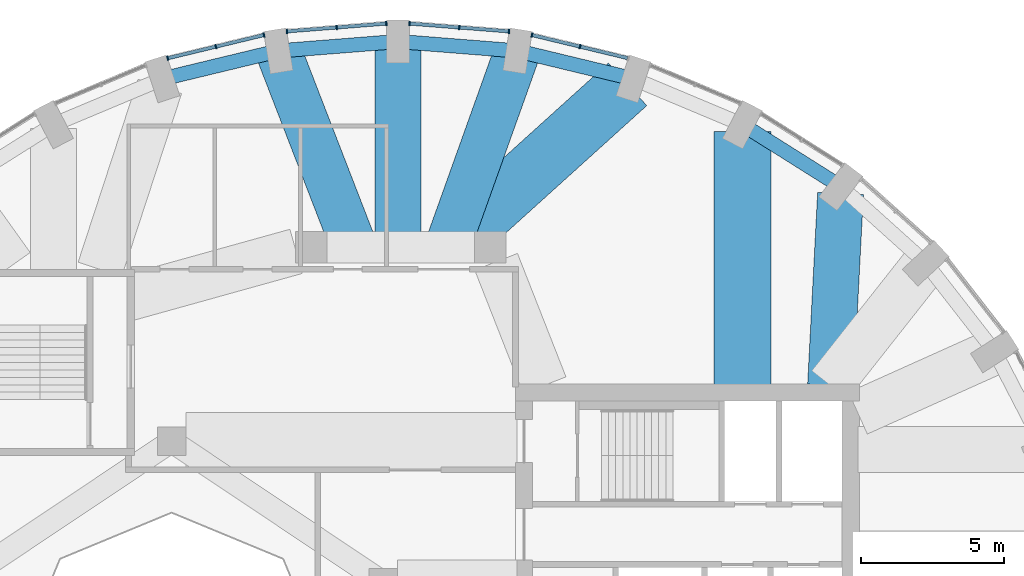
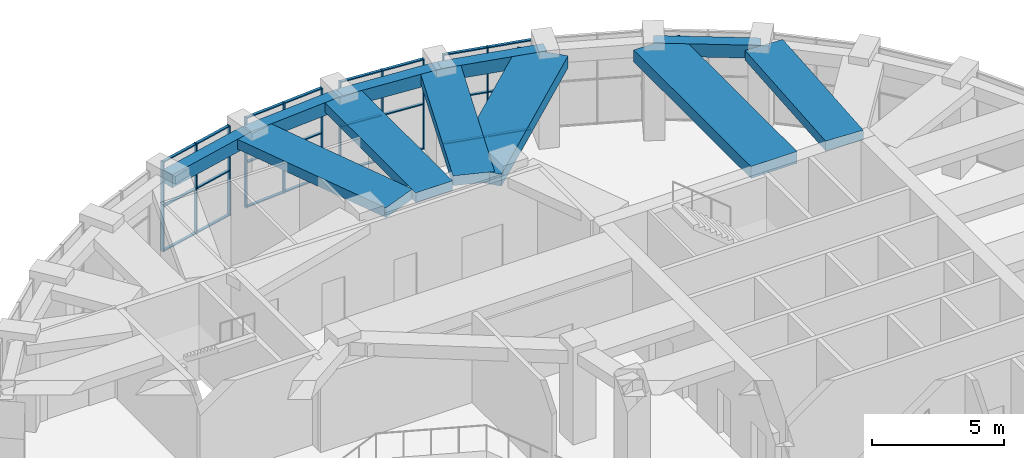
# One storey, part 9 of 17: 35 members, 11 beams, 4 elements without a shape of their own.
"""IFC4 building model written with IfcOpenShell, lengths in metres."""

from ifc_helpers import new_model, si_unit, direction, frame, origin, origin_2d, place, context, subcontext, project, spatial, rectangle, extrude, material, material_profile, profile_set, type_object, element, aggregate, save


model = new_model("IFC4")

# Units and contexts
model_context = context("Model", 3, precision=1e-05, world=origin(), true_north=direction((0.0, 1.0)))
body_context = subcontext(model_context, "Body", "Model", "MODEL_VIEW")
ifc_project = project(units=[si_unit("LENGTHUNIT", "METRE"), si_unit("AREAUNIT", "SQUARE_METRE"), si_unit("VOLUMEUNIT", "CUBIC_METRE"), si_unit("PLANEANGLEUNIT", "RADIAN"), si_unit("MASSUNIT", "GRAM", prefix="KILO")], contexts=[model_context])

# Site, building, storey
site_placement = place(None, origin())
site = spatial("IfcSite", under=ifc_project, at=site_placement, CompositionType="ELEMENT")
building_placement = place(site_placement, origin())
building = spatial("IfcBuilding", under=site, at=building_placement, Name="Taillehof Tower", CompositionType="ELEMENT")
storey_placement = place(building_placement, frame((0.0, 0.0, 259.699951171875)))
storey = spatial("IfcBuildingStorey", under=building, at=storey_placement, Name="L74", CompositionType="ELEMENT", Elevation=259.699951171875)

# Curtain wall, members
ifc_material_1 = material(Name="Aluminium curtain wall with Clear low-emissivity double glazing", Category="aluminium")
curtain_wall_type = type_object("IfcCurtainWallType", Name="Club lounge curtain wall", PredefinedType="USERDEFINED", material=ifc_material_1)
curtain_wall_1_placement = place(storey_placement, origin())
curtain_wall_1 = element("IfcCurtainWall", 1, at=curtain_wall_1_placement, inside=storey, type_object=curtain_wall_type, Name="Club lounge L74 bay 8", ObjectType="WINDOW WALL", PredefinedType="USERDEFINED")
ifc_material_2 = material(Name="Aluminium mullion", Category="aluminium")
ifc_material_profile_1 = material_profile(ifc_material_2, rectangle(XDim=0.159912109375, YDim=0.050048828125, at=origin_2d()), Name="AL 50x160")
ifc_profile_set_1 = profile_set([ifc_material_profile_1], Name="Aluminium mullion")
member_type_1 = type_object("IfcMemberType", Name="Club lounge mullion 50x160", PredefinedType="MULLION", material=ifc_profile_set_1)
member_1_placement = place(storey_placement, frame((6.255859375, 21.771728515625, 0.0), z_axis=(0.0, 0.0, 1.0), x_axis=(-0.234514520129, -0.972112616855, 0.0)))
member_1 = element("IfcMember", 2, at=member_1_placement, type_object=member_type_1, Name="CT4E08 mullion 2", PredefinedType="MULLION", context=body_context, shape_type="SweptSolid", body=[
    extrude(rectangle(XDim=0.159912109375, YDim=0.050048828125, at=origin_2d()), origin(), (0.0, 0.0, 1.0), 4.150146484375),
])
member_2_placement = place(storey_placement, frame((4.574951171875, 22.17724609375, 0.0), z_axis=(0.0, 0.0, 1.0), x_axis=(-0.234514520129, -0.972112616855, 0.0)))
member_2 = element("IfcMember", 3, at=member_2_placement, type_object=member_type_1, Name="CT4E08 mullion 3", PredefinedType="MULLION", context=body_context, shape_type="SweptSolid", body=[
    extrude(rectangle(XDim=0.159912109375, YDim=0.050048828125, at=origin_2d()), origin(), (0.0, 0.0, 1.0), 4.150146484375),
])

curtain_wall_2_placement = place(storey_placement, origin())
curtain_wall_2 = element("IfcCurtainWall", 4, at=curtain_wall_2_placement, inside=storey, type_object=curtain_wall_type, Name="Club lounge L74 bay 9", ObjectType="WINDOW WALL", PredefinedType="USERDEFINED")
member_3_placement = place(storey_placement, frame((3.77490234375, 22.304443359375, 0.0), z_axis=(0.0, 0.0, 1.0), x_axis=(-0.078525059075, -0.996912140109, 0.0)))
member_3 = element("IfcMember", 5, at=member_3_placement, type_object=member_type_1, Name="CT4E09 mullion 1", PredefinedType="MULLION", context=body_context, shape_type="SweptSolid", body=[
    extrude(rectangle(XDim=0.159912109375, YDim=0.050048828125, at=origin_2d()), origin(), (0.0, 0.0, 1.0), 4.150146484375),
])
member_4_placement = place(storey_placement, frame((2.0400390625, 22.441162109375, 0.0), z_axis=(0.0, 0.0, 1.0), x_axis=(-0.078525059075, -0.996912140109, 0.0)))
member_4 = element("IfcMember", 6, at=member_4_placement, type_object=member_type_1, Name="CT4E09 mullion 2", PredefinedType="MULLION", context=body_context, shape_type="SweptSolid", body=[
    extrude(rectangle(XDim=0.159912109375, YDim=0.050048828125, at=origin_2d()), origin(), (0.0, 0.0, 1.0), 4.150146484375),
])
member_5_placement = place(storey_placement, frame((0.304931640625, 22.577880859375, 0.0), z_axis=(0.0, 0.0, 1.0), x_axis=(-0.078525059075, -0.996912140109, 0.0)))
member_5 = element("IfcMember", 7, at=member_5_placement, type_object=member_type_1, Name="CT4E09 mullion 3", PredefinedType="MULLION", context=body_context, shape_type="SweptSolid", body=[
    extrude(rectangle(XDim=0.159912109375, YDim=0.050048828125, at=origin_2d()), origin(), (0.0, 0.0, 1.0), 4.150146484375),
])

curtain_wall_3_placement = place(storey_placement, origin())
curtain_wall_3 = element("IfcCurtainWall", 8, at=curtain_wall_3_placement, inside=storey, type_object=curtain_wall_type, Name="Club lounge L74 bay 10", ObjectType="WINDOW WALL", PredefinedType="USERDEFINED")
member_6_placement = place(storey_placement, frame((-0.5048828125, 22.577880859375, 0.0), z_axis=(0.0, 0.0, 1.0), x_axis=(0.078525059075, -0.996912140109, 0.0)))
member_6 = element("IfcMember", 9, at=member_6_placement, type_object=member_type_1, Name="CT4E10 mullion 1", PredefinedType="MULLION", context=body_context, shape_type="SweptSolid", body=[
    extrude(rectangle(XDim=0.159912109375, YDim=0.050048828125, at=origin_2d()), origin(), (0.0, 0.0, 1.0), 4.150146484375),
])
member_7_placement = place(storey_placement, frame((-2.239990234375, 22.441162109375, 0.0), z_axis=(0.0, 0.0, 1.0), x_axis=(0.078525059075, -0.996912140109, 0.0)))
member_7 = element("IfcMember", 10, at=member_7_placement, type_object=member_type_1, Name="CT4E10 mullion 2", PredefinedType="MULLION", context=body_context, shape_type="SweptSolid", body=[
    extrude(rectangle(XDim=0.159912109375, YDim=0.050048828125, at=origin_2d()), origin(), (0.0, 0.0, 1.0), 4.150146484375),
])
member_8_placement = place(storey_placement, frame((-3.97509765625, 22.304443359375, 0.0), z_axis=(0.0, 0.0, 1.0), x_axis=(0.078525059075, -0.996912140109, 0.0)))
member_8 = element("IfcMember", 11, at=member_8_placement, type_object=member_type_1, Name="CT4E10 mullion 3", PredefinedType="MULLION", context=body_context, shape_type="SweptSolid", body=[
    extrude(rectangle(XDim=0.159912109375, YDim=0.050048828125, at=origin_2d()), origin(), (0.0, 0.0, 1.0), 4.150146484375),
])

curtain_wall_4_placement = place(storey_placement, origin())
curtain_wall_4 = element("IfcCurtainWall", 12, at=curtain_wall_4_placement, inside=storey, type_object=curtain_wall_type, Name="Club lounge L74 bay 11", ObjectType="WINDOW WALL", PredefinedType="USERDEFINED")
member_9_placement = place(storey_placement, frame((-4.77490234375, 22.17724609375, 0.0), z_axis=(0.0, 0.0, 1.0), x_axis=(0.234514520129, -0.972112616855, 0.0)))
member_9 = element("IfcMember", 13, at=member_9_placement, type_object=member_type_1, Name="CT4E11 mullion 1", PredefinedType="MULLION", context=body_context, shape_type="SweptSolid", body=[
    extrude(rectangle(XDim=0.159912109375, YDim=0.050048828125, at=origin_2d()), origin(), (0.0, 0.0, 1.0), 4.150146484375),
])
member_10_placement = place(storey_placement, frame((-6.455810546875, 21.771728515625, 0.0), z_axis=(0.0, 0.0, 1.0), x_axis=(0.234514520129, -0.972112616855, 0.0)))
member_10 = element("IfcMember", 14, at=member_10_placement, type_object=member_type_1, Name="CT4E11 mullion 2", PredefinedType="MULLION", context=body_context, shape_type="SweptSolid", body=[
    extrude(rectangle(XDim=0.159912109375, YDim=0.050048828125, at=origin_2d()), origin(), (0.0, 0.0, 1.0), 4.150146484375),
])
member_11_placement = place(storey_placement, frame((-8.13671875, 21.366455078125, 0.0), z_axis=(0.0, 0.0, 1.0), x_axis=(0.234514520129, -0.972112616855, 0.0)))
member_11 = element("IfcMember", 15, at=member_11_placement, type_object=member_type_1, Name="CT4E11 mullion 3", PredefinedType="MULLION", context=body_context, shape_type="SweptSolid", body=[
    extrude(rectangle(XDim=0.159912109375, YDim=0.050048828125, at=origin_2d()), origin(), (0.0, 0.0, 1.0), 4.150146484375),
])

# Member
ifc_material_3 = material(Name="Aluminium transom", Category="aluminium")
ifc_material_profile_2 = material_profile(ifc_material_3, rectangle(XDim=0.1201171875, YDim=0.050048828125, at=origin_2d()), Name="AL 120x50")
ifc_profile_set_2 = profile_set([ifc_material_profile_2], Name="Aluminium transom")
member_type_2 = type_object("IfcMemberType", Name="Club lounge transom 120x50", PredefinedType="USERDEFINED", material=ifc_profile_set_2)
member_12_placement = place(storey_placement, frame((7.912353515625, 21.372314453125, 0.025146484375), z_axis=(-0.972143929034, 0.23438468645, 0.0), x_axis=(-0.23438468645, -0.972143929034, 0.0)))
member_12 = element("IfcMember", 16, at=member_12_placement, type_object=member_type_2, Name="CT4E08 transom 1.1", ObjectType="TRANSOM", PredefinedType="USERDEFINED", context=body_context, shape_type="SweptSolid", body=[
    extrude(rectangle(XDim=0.1201171875, YDim=0.050048828125, at=origin_2d()), origin(), (0.0, 0.0, 1.0), 1.67919921875),
])

member_13_placement = place(storey_placement, frame((7.912353515625, 21.372314453125, 2.074951171875), z_axis=(-0.972143929034, 0.23438468645, 0.0), x_axis=(-0.23438468645, -0.972143929034, 0.0)))
member_13 = element("IfcMember", 17, at=member_13_placement, type_object=member_type_2, Name="CT4E08 transom 1.2", ObjectType="TRANSOM", PredefinedType="USERDEFINED", context=body_context, shape_type="SweptSolid", body=[
    extrude(rectangle(XDim=0.1201171875, YDim=0.050048828125, at=origin_2d()), origin(), (0.0, 0.0, 1.0), 1.67919921875),
])

member_14_placement = place(storey_placement, frame((7.912353515625, 21.372314453125, 4.125), z_axis=(-0.972143929034, 0.23438468645, 0.0), x_axis=(-0.23438468645, -0.972143929034, 0.0)))
member_14 = element("IfcMember", 18, at=member_14_placement, type_object=member_type_2, Name="CT4E08 transom 1.3", ObjectType="TRANSOM", PredefinedType="USERDEFINED", context=body_context, shape_type="SweptSolid", body=[
    extrude(rectangle(XDim=0.1201171875, YDim=0.050048828125, at=origin_2d()), origin(), (0.0, 0.0, 1.0), 1.67919921875),
])

member_15_placement = place(storey_placement, frame((6.2314453125, 21.777587890625, 0.025146484375), z_axis=(-0.972110790257, 0.234522091637, 0.0), x_axis=(-0.234522091637, -0.972110790257, 0.0)))
member_15 = element("IfcMember", 19, at=member_15_placement, type_object=member_type_2, Name="CT4E08 transom 2.1", ObjectType="TRANSOM", PredefinedType="USERDEFINED", context=body_context, shape_type="SweptSolid", body=[
    extrude(rectangle(XDim=0.1201171875, YDim=0.050048828125, at=origin_2d()), origin(), (0.0, 0.0, 1.0), 1.67919921875),
])

member_16_placement = place(storey_placement, frame((6.2314453125, 21.777587890625, 2.074951171875), z_axis=(-0.972110790257, 0.234522091637, 0.0), x_axis=(-0.234522091637, -0.972110790257, 0.0)))
member_16 = element("IfcMember", 20, at=member_16_placement, type_object=member_type_2, Name="CT4E08 transom 2.2", ObjectType="TRANSOM", PredefinedType="USERDEFINED", context=body_context, shape_type="SweptSolid", body=[
    extrude(rectangle(XDim=0.1201171875, YDim=0.050048828125, at=origin_2d()), origin(), (0.0, 0.0, 1.0), 1.67919921875),
])

member_17_placement = place(storey_placement, frame((6.2314453125, 21.777587890625, 4.125), z_axis=(-0.972110790257, 0.234522091637, 0.0), x_axis=(-0.234522091637, -0.972110790257, 0.0)))
member_17 = element("IfcMember", 21, at=member_17_placement, type_object=member_type_2, Name="CT4E08 transom 2.3", ObjectType="TRANSOM", PredefinedType="USERDEFINED", context=body_context, shape_type="SweptSolid", body=[
    extrude(rectangle(XDim=0.1201171875, YDim=0.050048828125, at=origin_2d()), origin(), (0.0, 0.0, 1.0), 1.67919921875),
])

aggregate(curtain_wall_1, [member_1, member_2, member_12, member_13, member_14, member_15, member_16, member_17])

member_18_placement = place(storey_placement, frame((3.75, 22.306396484375, 0.025146484375), z_axis=(-0.99690827984, 0.078574051613, 0.0), x_axis=(-0.078574051613, -0.99690827984, 0.0)))
member_18 = element("IfcMember", 22, at=member_18_placement, type_object=member_type_2, Name="CT4E09 transom 1.1", ObjectType="TRANSOM", PredefinedType="USERDEFINED", context=body_context, shape_type="SweptSolid", body=[
    extrude(rectangle(XDim=0.1201171875, YDim=0.050048828125, at=origin_2d()), origin(), (0.0, 0.0, 1.0), 1.690185546875),
])

member_19_placement = place(storey_placement, frame((3.75, 22.306396484375, 2.074951171875), z_axis=(-0.99690827984, 0.078574051613, 0.0), x_axis=(-0.078574051613, -0.99690827984, 0.0)))
member_19 = element("IfcMember", 23, at=member_19_placement, type_object=member_type_2, Name="CT4E09 transom 1.2", ObjectType="TRANSOM", PredefinedType="USERDEFINED", context=body_context, shape_type="SweptSolid", body=[
    extrude(rectangle(XDim=0.1201171875, YDim=0.050048828125, at=origin_2d()), origin(), (0.0, 0.0, 1.0), 1.690185546875),
])

member_20_placement = place(storey_placement, frame((3.75, 22.306396484375, 4.125), z_axis=(-0.99690827984, 0.078574051613, 0.0), x_axis=(-0.078574051613, -0.99690827984, 0.0)))
member_20 = element("IfcMember", 24, at=member_20_placement, type_object=member_type_2, Name="CT4E09 transom 1.3", ObjectType="TRANSOM", PredefinedType="USERDEFINED", context=body_context, shape_type="SweptSolid", body=[
    extrude(rectangle(XDim=0.1201171875, YDim=0.050048828125, at=origin_2d()), origin(), (0.0, 0.0, 1.0), 1.690185546875),
])

member_21_placement = place(storey_placement, frame((2.01513671875, 22.443115234375, 0.025146484375), z_axis=(-0.996909171388, 0.078562739278, 0.0), x_axis=(-0.078562739278, -0.996909171388, 0.0)))
member_21 = element("IfcMember", 25, at=member_21_placement, type_object=member_type_2, Name="CT4E09 transom 2.1", ObjectType="TRANSOM", PredefinedType="USERDEFINED", context=body_context, shape_type="SweptSolid", body=[
    extrude(rectangle(XDim=0.1201171875, YDim=0.050048828125, at=origin_2d()), origin(), (0.0, 0.0, 1.0), 1.6904296875),
])

member_22_placement = place(storey_placement, frame((2.01513671875, 22.443115234375, 2.074951171875), z_axis=(-0.996909171388, 0.078562739278, 0.0), x_axis=(-0.078562739278, -0.996909171388, 0.0)))
member_22 = element("IfcMember", 26, at=member_22_placement, type_object=member_type_2, Name="CT4E09 transom 2.2", ObjectType="TRANSOM", PredefinedType="USERDEFINED", context=body_context, shape_type="SweptSolid", body=[
    extrude(rectangle(XDim=0.1201171875, YDim=0.050048828125, at=origin_2d()), origin(), (0.0, 0.0, 1.0), 1.6904296875),
])

member_23_placement = place(storey_placement, frame((2.01513671875, 22.443115234375, 4.125), z_axis=(-0.996909171388, 0.078562739278, 0.0), x_axis=(-0.078562739278, -0.996909171388, 0.0)))
member_23 = element("IfcMember", 27, at=member_23_placement, type_object=member_type_2, Name="CT4E09 transom 2.3", ObjectType="TRANSOM", PredefinedType="USERDEFINED", context=body_context, shape_type="SweptSolid", body=[
    extrude(rectangle(XDim=0.1201171875, YDim=0.050048828125, at=origin_2d()), origin(), (0.0, 0.0, 1.0), 1.6904296875),
])

aggregate(curtain_wall_2, [member_3, member_4, member_5, member_18, member_19, member_20, member_21, member_22, member_23])

member_24_placement = place(storey_placement, frame((-0.530029296875, 22.575927734375, 0.025146484375), z_axis=(-0.99690827984, -0.078574051613, 0.0), x_axis=(0.078574051613, -0.99690827984, 0.0)))
member_24 = element("IfcMember", 28, at=member_24_placement, type_object=member_type_2, Name="CT4E10 transom 1.1", ObjectType="TRANSOM", PredefinedType="USERDEFINED", context=body_context, shape_type="SweptSolid", body=[
    extrude(rectangle(XDim=0.1201171875, YDim=0.050048828125, at=origin_2d()), origin(), (0.0, 0.0, 1.0), 1.690185546875),
])

member_25_placement = place(storey_placement, frame((-0.530029296875, 22.575927734375, 2.074951171875), z_axis=(-0.99690827984, -0.078574051613, 0.0), x_axis=(0.078574051613, -0.99690827984, 0.0)))
member_25 = element("IfcMember", 29, at=member_25_placement, type_object=member_type_2, Name="CT4E10 transom 1.2", ObjectType="TRANSOM", PredefinedType="USERDEFINED", context=body_context, shape_type="SweptSolid", body=[
    extrude(rectangle(XDim=0.1201171875, YDim=0.050048828125, at=origin_2d()), origin(), (0.0, 0.0, 1.0), 1.690185546875),
])

member_26_placement = place(storey_placement, frame((-0.530029296875, 22.575927734375, 4.125), z_axis=(-0.99690827984, -0.078574051613, 0.0), x_axis=(0.078574051613, -0.99690827984, 0.0)))
member_26 = element("IfcMember", 30, at=member_26_placement, type_object=member_type_2, Name="CT4E10 transom 1.3", ObjectType="TRANSOM", PredefinedType="USERDEFINED", context=body_context, shape_type="SweptSolid", body=[
    extrude(rectangle(XDim=0.1201171875, YDim=0.050048828125, at=origin_2d()), origin(), (0.0, 0.0, 1.0), 1.690185546875),
])

member_27_placement = place(storey_placement, frame((-2.264892578125, 22.439208984375, 0.025146484375), z_axis=(-0.99690827984, -0.078574051613, 0.0), x_axis=(0.078574051613, -0.99690827984, 0.0)))
member_27 = element("IfcMember", 31, at=member_27_placement, type_object=member_type_2, Name="CT4E10 transom 2.1", ObjectType="TRANSOM", PredefinedType="USERDEFINED", context=body_context, shape_type="SweptSolid", body=[
    extrude(rectangle(XDim=0.1201171875, YDim=0.050048828125, at=origin_2d()), origin(), (0.0, 0.0, 1.0), 1.690185546875),
])

member_28_placement = place(storey_placement, frame((-2.264892578125, 22.439208984375, 2.074951171875), z_axis=(-0.99690827984, -0.078574051613, 0.0), x_axis=(0.078574051613, -0.99690827984, 0.0)))
member_28 = element("IfcMember", 32, at=member_28_placement, type_object=member_type_2, Name="CT4E10 transom 2.2", ObjectType="TRANSOM", PredefinedType="USERDEFINED", context=body_context, shape_type="SweptSolid", body=[
    extrude(rectangle(XDim=0.1201171875, YDim=0.050048828125, at=origin_2d()), origin(), (0.0, 0.0, 1.0), 1.690185546875),
])

member_29_placement = place(storey_placement, frame((-2.264892578125, 22.439208984375, 4.125), z_axis=(-0.99690827984, -0.078574051613, 0.0), x_axis=(0.078574051613, -0.99690827984, 0.0)))
member_29 = element("IfcMember", 33, at=member_29_placement, type_object=member_type_2, Name="CT4E10 transom 2.3", ObjectType="TRANSOM", PredefinedType="USERDEFINED", context=body_context, shape_type="SweptSolid", body=[
    extrude(rectangle(XDim=0.1201171875, YDim=0.050048828125, at=origin_2d()), origin(), (0.0, 0.0, 1.0), 1.690185546875),
])

aggregate(curtain_wall_3, [member_6, member_7, member_8, member_24, member_25, member_26, member_27, member_28, member_29])

member_30_placement = place(storey_placement, frame((-4.79931640625, 22.17138671875, 0.025146484375), z_axis=(-0.972102791749, -0.234555243544, 0.0), x_axis=(0.234555243544, -0.972102791749, 0.0)))
member_30 = element("IfcMember", 34, at=member_30_placement, type_object=member_type_2, Name="CT4E11 transom 1.1", ObjectType="TRANSOM", PredefinedType="USERDEFINED", context=body_context, shape_type="SweptSolid", body=[
    extrude(rectangle(XDim=0.1201171875, YDim=0.050048828125, at=origin_2d()), origin(), (0.0, 0.0, 1.0), 1.678955078125),
])

member_31_placement = place(storey_placement, frame((-4.79931640625, 22.17138671875, 2.074951171875), z_axis=(-0.972102791749, -0.234555243544, 0.0), x_axis=(0.234555243544, -0.972102791749, 0.0)))
member_31 = element("IfcMember", 35, at=member_31_placement, type_object=member_type_2, Name="CT4E11 transom 1.2", ObjectType="TRANSOM", PredefinedType="USERDEFINED", context=body_context, shape_type="SweptSolid", body=[
    extrude(rectangle(XDim=0.1201171875, YDim=0.050048828125, at=origin_2d()), origin(), (0.0, 0.0, 1.0), 1.678955078125),
])

member_32_placement = place(storey_placement, frame((-4.79931640625, 22.17138671875, 4.125), z_axis=(-0.972102791749, -0.234555243544, 0.0), x_axis=(0.234555243544, -0.972102791749, 0.0)))
member_32 = element("IfcMember", 36, at=member_32_placement, type_object=member_type_2, Name="CT4E11 transom 1.3", ObjectType="TRANSOM", PredefinedType="USERDEFINED", context=body_context, shape_type="SweptSolid", body=[
    extrude(rectangle(XDim=0.1201171875, YDim=0.050048828125, at=origin_2d()), origin(), (0.0, 0.0, 1.0), 1.678955078125),
])

member_33_placement = place(storey_placement, frame((-6.47998046875, 21.765869140625, 0.025146484375), z_axis=(-0.972143929034, -0.23438468645, 0.0), x_axis=(0.23438468645, -0.972143929034, 0.0)))
member_33 = element("IfcMember", 37, at=member_33_placement, type_object=member_type_2, Name="CT4E11 transom 2.1", ObjectType="TRANSOM", PredefinedType="USERDEFINED", context=body_context, shape_type="SweptSolid", body=[
    extrude(rectangle(XDim=0.1201171875, YDim=0.050048828125, at=origin_2d()), origin(), (0.0, 0.0, 1.0), 1.67919921875),
])

member_34_placement = place(storey_placement, frame((-6.47998046875, 21.765869140625, 2.074951171875), z_axis=(-0.972143929034, -0.23438468645, 0.0), x_axis=(0.23438468645, -0.972143929034, 0.0)))
member_34 = element("IfcMember", 38, at=member_34_placement, type_object=member_type_2, Name="CT4E11 transom 2.2", ObjectType="TRANSOM", PredefinedType="USERDEFINED", context=body_context, shape_type="SweptSolid", body=[
    extrude(rectangle(XDim=0.1201171875, YDim=0.050048828125, at=origin_2d()), origin(), (0.0, 0.0, 1.0), 1.67919921875),
])

member_35_placement = place(storey_placement, frame((-6.47998046875, 21.765869140625, 4.125), z_axis=(-0.972143929034, -0.23438468645, 0.0), x_axis=(0.23438468645, -0.972143929034, 0.0)))
member_35 = element("IfcMember", 39, at=member_35_placement, type_object=member_type_2, Name="CT4E11 transom 2.3", ObjectType="TRANSOM", PredefinedType="USERDEFINED", context=body_context, shape_type="SweptSolid", body=[
    extrude(rectangle(XDim=0.1201171875, YDim=0.050048828125, at=origin_2d()), origin(), (0.0, 0.0, 1.0), 1.67919921875),
])

aggregate(curtain_wall_4, [member_9, member_10, member_11, member_30, member_31, member_32, member_33, member_34, member_35])

# Beams
ifc_material_4 = material(Name="Concrete C50/60", Category="concrete")
ifc_material_profile_3 = material_profile(ifc_material_4, rectangle(XDim=1.60009765625, YDim=0.449951171875, at=origin_2d()), Name="RC 1600x450")
ifc_profile_set_3 = profile_set([ifc_material_profile_3], Name="Concrete C50/60")
beam_type_1 = type_object("IfcBeamType", Name="Radial band beam C50/60 1600x450", PredefinedType="BEAM", material=ifc_profile_set_3)
beam_1_placement = place(storey_placement, frame((15.3466796875, 16.645751953125, 3.925048828125), z_axis=(-0.052105887855, -0.998641565553, 0.0), x_axis=(0.998641565553, -0.052105887855, 0.0)))
element("IfcBeam", 40, at=beam_1_placement, inside=storey, type_object=beam_type_1, Name="Radial band beam RB06", PredefinedType="BEAM", context=body_context, shape_type="SweptSolid", body=[
    extrude(rectangle(XDim=1.60009765625, YDim=0.449951171875, at=origin_2d()), origin(), (0.0, 0.0, 1.0), 6.704833984375),
])
beam_2_placement = place(storey_placement, frame((4.076171875, 21.62109375, 3.925048828125), z_axis=(-0.33687426523, -0.941549642571, 0.0), x_axis=(0.941549642571, -0.33687426523, 0.0)))
element("IfcBeam", 41, at=beam_2_placement, inside=storey, type_object=beam_type_1, Name="Radial band beam RB09", PredefinedType="BEAM", context=body_context, shape_type="SweptSolid", body=[
    extrude(rectangle(XDim=1.60009765625, YDim=0.449951171875, at=origin_2d()), origin(), (0.0, 0.0, 1.0), 7.27392578125),
])
beam_3_placement = place(storey_placement, frame((-0.10009765625, 21.949951171875, 3.925048828125), z_axis=(0.0, -1.0, 0.0), x_axis=(1.0, 0.0, 0.0)))
element("IfcBeam", 42, at=beam_3_placement, inside=storey, type_object=beam_type_1, Name="Radial band beam RB10", PredefinedType="BEAM", context=body_context, shape_type="SweptSolid", body=[
    extrude(rectangle(XDim=1.60009765625, YDim=0.449951171875, at=origin_2d()), origin(), (0.0, 0.0, 1.0), 7.177734375),
])
beam_4_placement = place(storey_placement, frame((-4.276123046875, 21.62109375, 3.925048828125), z_axis=(0.360900836016, -0.932604196089, 0.0), x_axis=(0.932604196089, 0.360900836016, 0.0)))
element("IfcBeam", 43, at=beam_4_placement, inside=storey, type_object=beam_type_1, Name="Radial band beam RB11", PredefinedType="BEAM", context=body_context, shape_type="SweptSolid", body=[
    extrude(rectangle(XDim=1.60009765625, YDim=0.449951171875, at=origin_2d()), origin(), (0.0, 0.0, 1.0), 7.34375),
])
ifc_material_5 = material(Name="Concrete C50/60", Category="concrete")
ifc_material_profile_4 = material_profile(ifc_material_5, rectangle(XDim=2.0, YDim=0.550048828125, at=origin_2d()), Name="RC 2000x550")
ifc_profile_set_4 = profile_set([ifc_material_profile_4], Name="Concrete C50/60")
beam_type_2 = type_object("IfcBeamType", Name="Radial band beam C50/60 2000x550", PredefinedType="BEAM", material=ifc_profile_set_4)
beam_5_placement = place(storey_placement, frame((11.925048828125, 18.8115234375, 3.875), z_axis=(0.0, -1.0, 0.0), x_axis=(1.0, 0.0, 0.0)))
element("IfcBeam", 44, at=beam_5_placement, inside=storey, type_object=beam_type_2, Name="Radial band beam RB07", PredefinedType="BEAM", context=body_context, shape_type="SweptSolid", body=[
    extrude(rectangle(XDim=2.0, YDim=0.550048828125, at=origin_2d()), origin(), (0.0, 0.0, 1.0), 8.861572265625),
])
beam_6_placement = place(storey_placement, frame((7.9150390625, 20.4541015625, 3.875), z_axis=(-0.742031364941, -0.670365164253, 0.0), x_axis=(0.670365164253, -0.742031364941, 0.0)))
element("IfcBeam", 45, at=beam_6_placement, inside=storey, type_object=beam_type_2, Name="Radial band beam RB08", PredefinedType="BEAM", context=body_context, shape_type="SweptSolid", body=[
    extrude(rectangle(XDim=2.0, YDim=0.550048828125, at=origin_2d()), origin(), (0.0, 0.0, 1.0), 8.189453125),
])
ifc_material_6 = material(Name="Concrete C50/60", Category="concrete")
ifc_material_profile_5 = material_profile(ifc_material_6, rectangle(XDim=0.5, YDim=0.60009765625, at=origin_2d()), Name="RC 500x600")
ifc_profile_set_5 = profile_set([ifc_material_profile_5], Name="Concrete C50/60")
beam_type_3 = type_object("IfcBeamType", Name="Spandrel beam C50/60 500x600", PredefinedType="SPANDREL", material=ifc_profile_set_5)
beam_7_placement = place(storey_placement, frame((15.359130859375, 16.884765625, 3.85009765625), z_axis=(-0.845944476237, 0.5332709847, 0.0), x_axis=(-0.5332709847, -0.845944476237, 0.0)))
element("IfcBeam", 46, at=beam_7_placement, inside=storey, type_object=beam_type_3, Name="Spandrel beam SB06", PredefinedType="SPANDREL", context=body_context, shape_type="SweptSolid", body=[
    extrude(rectangle(XDim=0.5, YDim=0.60009765625, at=origin_2d()), origin(), (0.0, 0.0, 1.0), 4.0595703125),
])
beam_8_placement = place(storey_placement, frame((8.12548828125, 20.644287109375, 3.85009765625), z_axis=(-0.972115850295, 0.234501116425, 0.0), x_axis=(-0.234501116425, -0.972115850295, 0.0)))
element("IfcBeam", 47, at=beam_8_placement, inside=storey, type_object=beam_type_3, Name="Spandrel beam SB08", PredefinedType="SPANDREL", context=body_context, shape_type="SweptSolid", body=[
    extrude(rectangle(XDim=0.5, YDim=0.60009765625, at=origin_2d()), origin(), (0.0, 0.0, 1.0), 4.16552734375),
])
beam_9_placement = place(storey_placement, frame((4.076171875, 21.62109375, 3.85009765625), z_axis=(-0.996914011582, 0.078501296247, 0.0), x_axis=(-0.078501296247, -0.996914011582, 0.0)))
element("IfcBeam", 48, at=beam_9_placement, inside=storey, type_object=beam_type_3, Name="Spandrel beam SB09", PredefinedType="SPANDREL", context=body_context, shape_type="SweptSolid", body=[
    extrude(rectangle(XDim=0.5, YDim=0.60009765625, at=origin_2d()), origin(), (0.0, 0.0, 1.0), 4.189208984375),
])
beam_10_placement = place(storey_placement, frame((-0.10009765625, 21.949951171875, 3.85009765625), z_axis=(-0.996913652411, -0.07850585734, 0.0), x_axis=(0.07850585734, -0.996913652411, 0.0)))
element("IfcBeam", 49, at=beam_10_placement, inside=storey, type_object=beam_type_3, Name="Spandrel beam SB10", PredefinedType="SPANDREL", context=body_context, shape_type="SweptSolid", body=[
    extrude(rectangle(XDim=0.5, YDim=0.60009765625, at=origin_2d()), origin(), (0.0, 0.0, 1.0), 4.18896484375),
])
beam_11_placement = place(storey_placement, frame((-4.276123046875, 21.62109375, 3.85009765625), z_axis=(-0.972119073064, -0.234487756154, 0.0), x_axis=(0.234487756154, -0.972119073064, 0.0)))
element("IfcBeam", 50, at=beam_11_placement, inside=storey, type_object=beam_type_3, Name="Spandrel beam SB11", PredefinedType="SPANDREL", context=body_context, shape_type="SweptSolid", body=[
    extrude(rectangle(XDim=0.5, YDim=0.60009765625, at=origin_2d()), origin(), (0.0, 0.0, 1.0), 4.165771484375),
])

save(model, "model.ifc")
